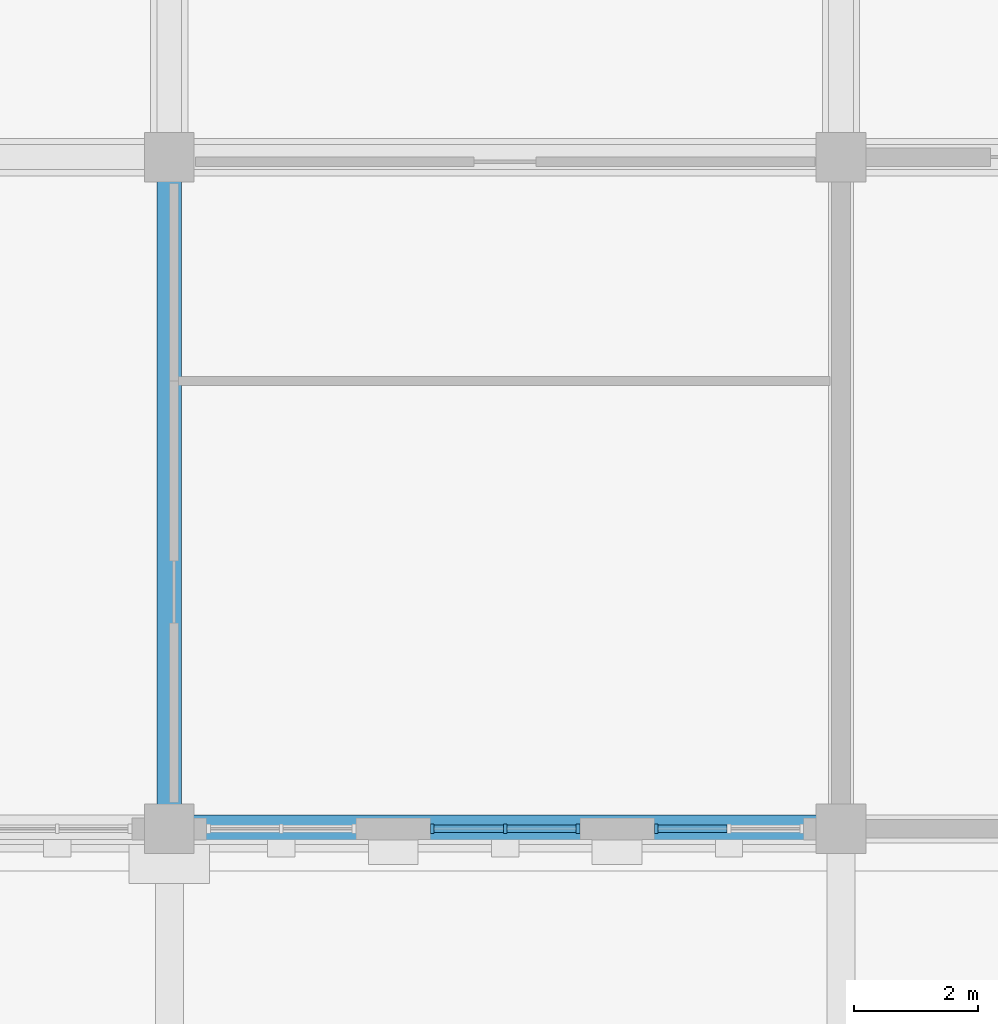
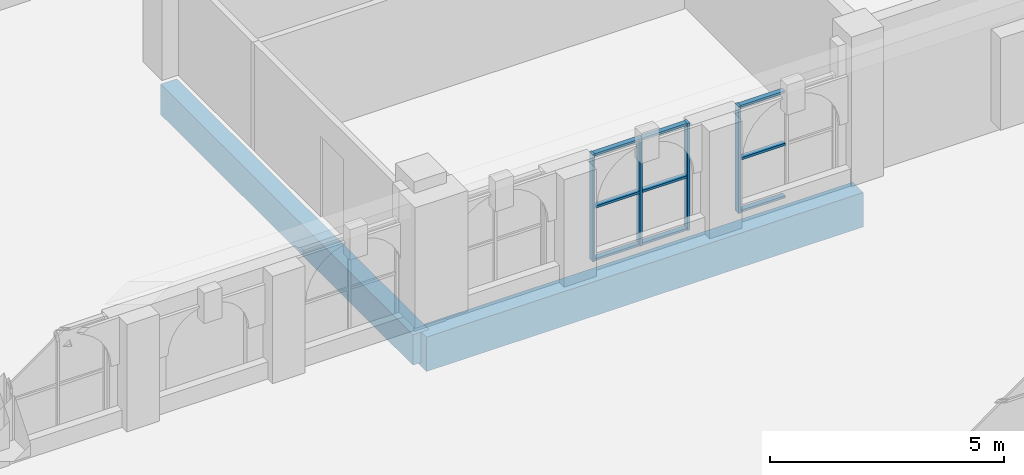
# One storey, part 28 of 95: 13 members, 2 beams, 2 elements without a shape of their own.
"""IFC4 building model written with IfcOpenShell, lengths in metres."""

import ifcopenshell
import ifcopenshell.guid

model = None  # the IFC model being written
_history = None  # IfcOwnerHistory: only IFC2X3 demands one
_inside = {}  # id of a spatial element -> (the spatial element, [elements in it])
_under = {}  # id of a project, library or spatial element -> (it, [spatial elements below it])
_declared = {}  # id of a project -> (the project, [libraries it declares])
_typed = {}  # id of a type object -> (the type object, [elements of that type])
_made_of = {}  # id of a material, layer set ... -> (it, [elements and type objects made of it])


def new_model(schema):
    """Start an empty IFC model of exactly this schema.

    Asked for "IFC4X3", IfcOpenShell would pick the latest addendum, in which some entities
    have other attributes; the version numbers below select the first issue.
    IFC2X3 requires an IfcOwnerHistory on every rooted entity: one is made here for all.
    """
    global model, _history
    if schema == "IFC4X3":
        model = ifcopenshell.file(schema_version=(4, 3, 0, 0))
    else:
        model = ifcopenshell.file(schema=schema)
    _inside.clear()
    _under.clear()
    _declared.clear()
    _typed.clear()
    _made_of.clear()
    _history = None
    if model.schema == "IFC2X3":
        org = make("IfcOrganization", Name="unknown")
        user = make(
            "IfcPersonAndOrganization",
            ThePerson=make("IfcPerson", FamilyName="unknown"),
            TheOrganization=org,
        )
        app = make(
            "IfcApplication",
            ApplicationDeveloper=org,
            Version="unknown",
            ApplicationFullName="unknown",
            ApplicationIdentifier="unknown",
        )
        _history = make(
            "IfcOwnerHistory",
            OwningUser=user,
            OwningApplication=app,
            ChangeAction="ADDED",
            CreationDate=0,
        )
    return model


def make(cls, **values):
    """One entity of the class cls with the attributes given. An attribute that is None is left unset."""
    return model.create_entity(
        cls, **{name: value for name, value in values.items() if value is not None}
    )


def rooted(cls, **values):
    """An entity with a GlobalId (a new one), such as an element, a storey or a relation."""
    return make(cls, GlobalId=ifcopenshell.guid.new(), OwnerHistory=_history, **values)


def si_unit(unit_type, name, prefix=None):
    """IfcSIUnit, for example si_unit("LENGTHUNIT", "METRE", prefix="MILLI")."""
    return make("IfcSIUnit", UnitType=unit_type, Prefix=prefix, Name=name)


def assignment(units):
    """IfcUnitAssignment: the units of a project."""
    return None if units is None else make("IfcUnitAssignment", Units=units)


def point(xyz):
    """IfcCartesianPoint."""
    return None if xyz is None else make("IfcCartesianPoint", Coordinates=xyz)


def direction(xyz):
    """IfcDirection."""
    return None if xyz is None else make("IfcDirection", DirectionRatios=xyz)


def frame(location, z_axis=None, x_axis=None):
    """IfcAxis2Placement3D, a coordinate frame: its origin and axes. An axis left out is left unset."""
    return make(
        "IfcAxis2Placement3D",
        Location=point(location),
        Axis=direction(z_axis),
        RefDirection=direction(x_axis),
    )


def frame_2d(location, x_axis=None):
    """IfcAxis2Placement2D, a coordinate frame in the plane: its origin and x axis."""
    return make(
        "IfcAxis2Placement2D", Location=point(location), RefDirection=direction(x_axis)
    )


def origin():
    """The frame at (0, 0, 0) with its axes left unset."""
    return frame((0.0, 0.0, 0.0))


def origin_2d():
    """The frame at (0, 0) in the plane with its x axis left unset."""
    return frame_2d((0.0, 0.0))


def place(relative_to, where):
    """IfcLocalPlacement: puts the frame where relative to a parent placement (None: the world)."""
    return make(
        "IfcLocalPlacement", PlacementRelTo=relative_to, RelativePlacement=where
    )


def context(
    kind, dimensions, precision=None, world=None, true_north=None, identifier=None
):
    """IfcGeometricRepresentationContext, for example the 3D "Model" context."""
    return make(
        "IfcGeometricRepresentationContext",
        ContextIdentifier=identifier,
        ContextType=kind,
        CoordinateSpaceDimension=dimensions,
        Precision=precision,
        WorldCoordinateSystem=world,
        TrueNorth=true_north,
    )


def subcontext(parent, identifier, kind, view, scale=None):
    """IfcGeometricRepresentationSubContext, for example "Body" below "Model"."""
    return make(
        "IfcGeometricRepresentationSubContext",
        ContextIdentifier=identifier,
        ContextType=kind,
        ParentContext=parent,
        TargetScale=scale,
        TargetView=view,
    )


def project(units=None, contexts=None):
    """IfcProject with its units and contexts."""
    return rooted(
        "IfcProject",
        Name="project",
        RepresentationContexts=contexts,
        UnitsInContext=assignment(units),
    )


def spatial(cls, under=None, at=None, **own):
    """A site, building, storey or space (cls), placed at a placement, below another one or the project."""
    s = rooted(cls, ObjectPlacement=at, **own)
    if under is not None:
        _under.setdefault(under.id(), (under, []))[1].append(s)
    return s


def profile(cls, at=None, kind="AREA", **sizes):
    """A parametric profile (cls). Its sizes go by their IFC names, for example OverallWidth=200.0."""
    return make(cls, ProfileType=kind, Position=at, **sizes)


def rectangle(**sizes):
    """IfcRectangleProfileDef."""
    return profile("IfcRectangleProfileDef", **sizes)


def extrude(swept, where, along, depth):
    """IfcExtrudedAreaSolid: the profile swept, set in the frame where, extruded along a direction by depth."""
    return make(
        "IfcExtrudedAreaSolid",
        SweptArea=swept,
        Position=where,
        ExtrudedDirection=direction(along),
        Depth=depth,
    )


def shape(context_of_items, identifier, shape_type, items):
    """IfcShapeRepresentation: the items that make up one representation, for example the "Body"."""
    return make(
        "IfcShapeRepresentation",
        ContextOfItems=context_of_items,
        RepresentationIdentifier=identifier,
        RepresentationType=shape_type,
        Items=items,
    )


def material(Name=None, Category=None):
    """IfcMaterial."""
    return make("IfcMaterial", Name=Name, Category=Category)


def layer(
    of_material, thickness, ventilated=None, Name=None, Category=None, Priority=None
):
    """IfcMaterialLayer: one layer of a wall or slab, of a material (None: an air gap)."""
    return make(
        "IfcMaterialLayer",
        Material=of_material,
        LayerThickness=thickness,
        IsVentilated=ventilated,
        Name=Name,
        Category=Category,
        Priority=Priority,
    )


def layer_set(layers, Name=None):
    """IfcMaterialLayerSet."""
    return make("IfcMaterialLayerSet", MaterialLayers=layers, LayerSetName=Name)


def material_profile(
    of_material, cross_section, Name=None, Category=None, Priority=None
):
    """IfcMaterialProfile: a cross section and its material."""
    return make(
        "IfcMaterialProfile",
        Name=Name,
        Material=of_material,
        Profile=cross_section,
        Priority=Priority,
        Category=Category,
    )


def profile_set(profiles, Name=None, composite=None):
    """IfcMaterialProfileSet."""
    return make(
        "IfcMaterialProfileSet",
        Name=Name,
        MaterialProfiles=profiles,
        CompositeProfile=composite,
    )


def made_of(thing, what):
    """Note that an element or type object is made of a material, layer set ...; save() writes the relation."""
    if what is not None:
        _made_of.setdefault(what.id(), (what, []))[1].append(thing)
    return thing


def type_object(cls, material=None, **own):
    """A type object (cls), such as IfcWallType, which elements share."""
    return made_of(rooted(cls, **own), material)


def element(
    cls,
    number,
    at=None,
    inside=None,
    cuts=None,
    type_object=None,
    material=None,
    context=None,
    identifier="Body",
    shape_type=None,
    held_by="IfcProductDefinitionShape",
    body=None,
    shapes=None,
    **own,
):
    """One element of the class cls, such as IfcWall. Its Tag is "e" and its number.

    at: its placement. inside: the storey or other place that contains it. cuts: it is an
    opening in that element (IfcRelVoidsElement). A single representation is given by context,
    identifier, shape_type and body (its items); several are given by shapes. held_by: the class
    of the entity that holds the representations. save() writes the other relations.
    """
    e = rooted(cls, Tag="e%d" % number, ObjectPlacement=at, **own)
    if body is not None:
        shapes = [shape(context, identifier, shape_type, body)]
    if shapes is not None:
        e.Representation = make(held_by, Representations=shapes)
    if inside is not None:
        _inside.setdefault(inside.id(), (inside, []))[1].append(e)
    if cuts is not None:
        rooted(
            "IfcRelVoidsElement", RelatingBuildingElement=cuts, RelatedOpeningElement=e
        )
    if type_object is not None:
        _typed.setdefault(type_object.id(), (type_object, []))[1].append(e)
    return made_of(e, material)


def aggregate(whole, parts):
    """IfcRelAggregates: a whole, such as a stair, and the parts it consists of."""
    return rooted("IfcRelAggregates", RelatingObject=whole, RelatedObjects=parts)


def save(model, path):
    """Write the relations noted so far, then the file.

    IfcRelAggregates (storeys below a building ...), IfcRelContainedInSpatialStructure (elements
    in a storey), IfcRelDefinesByType, IfcRelAssociatesMaterial and IfcRelDeclares: one each for
    every whole, place, type object, material and project.
    """
    for whole, parts in _under.values():
        aggregate(whole, parts)
    for where, things in _inside.values():
        rooted(
            "IfcRelContainedInSpatialStructure",
            RelatedElements=things,
            RelatingStructure=where,
        )
    for kind, things in _typed.values():
        rooted("IfcRelDefinesByType", RelatedObjects=things, RelatingType=kind)
    for what, things in _made_of.values():
        rooted("IfcRelAssociatesMaterial", RelatedObjects=things, RelatingMaterial=what)
    for by, libraries in _declared.values():
        rooted("IfcRelDeclares", RelatingContext=by, RelatedDefinitions=libraries)
    model.write(path)


model = new_model("IFC4")

# Units and contexts
model_context = context("Model", 3, precision=1e-05, world=origin(), true_north=direction((0.0, 1.0)))
body_context = subcontext(model_context, "Body", "Model", "MODEL_VIEW")
ifc_project = project(units=[si_unit("LENGTHUNIT", "METRE"), si_unit("AREAUNIT", "SQUARE_METRE"), si_unit("VOLUMEUNIT", "CUBIC_METRE"), si_unit("PLANEANGLEUNIT", "RADIAN"), si_unit("MASSUNIT", "GRAM", prefix="KILO")], contexts=[model_context])

# Site, building, storey
site_placement = place(None, origin())
site = spatial("IfcSite", under=ifc_project, at=site_placement, CompositionType="ELEMENT")
building_placement = place(site_placement, origin())
building = spatial("IfcBuilding", under=site, at=building_placement, Name="Magnolia Steps Interchange", CompositionType="ELEMENT")
storey_placement = place(building_placement, frame((0.0, 0.0, 4.800048828125)))
storey = spatial("IfcBuildingStorey", under=building, at=storey_placement, Name="L01", CompositionType="ELEMENT", Elevation=4.800048828125)

# Curtain wall, members
ifc_material_1 = material(Name="Powder-coated aluminium and glass", Category="aluminium")
ifc_layer = layer(ifc_material_1, 0.179931640625)
ifc_layer_set = layer_set([ifc_layer], Name="Lobby shopfront curtain wall")
curtain_wall_type = type_object("IfcCurtainWallType", Name="Lobby shopfront curtain wall", PredefinedType="NOTDEFINED", material=ifc_layer_set)
curtain_wall_1_placement = place(storey_placement, origin())
curtain_wall_1 = element("IfcCurtainWall", 1, at=curtain_wall_1_placement, inside=storey, type_object=curtain_wall_type, Name="Operations lobby south glazing 14", PredefinedType="NOTDEFINED")
ifc_material_2 = material(Name="White powder-coated aluminium", Category="aluminium")
ifc_material_profile_1 = material_profile(ifc_material_2, rectangle(XDim=0.06005859375, YDim=0.14990234375, at=origin_2d()), Name="Aluminium mullion 60 x 150")
ifc_profile_set_1 = profile_set([ifc_material_profile_1], Name="White powder-coated aluminium")
member_type_1 = type_object("IfcMemberType", Name="Aluminium mullion 60 x 150", PredefinedType="MULLION", material=ifc_profile_set_1)
member_1_placement = place(storey_placement, frame((100.6298828125, 96.39990234375, 0.0), z_axis=(0.0, 0.0, 1.0), x_axis=(1.0, 0.0, 0.0)))
member_1 = element("IfcMember", 2, at=member_1_placement, type_object=member_type_1, Name="CW5 mullion 1", PredefinedType="MULLION", context=body_context, shape_type="SweptSolid", body=[
    extrude(rectangle(XDim=0.06005859375, YDim=0.14990234375, at=origin_2d()), origin(), (0.0, 0.0, 1.0), 2.800048828125),
])
member_2_placement = place(storey_placement, frame((101.800048828125, 96.39990234375, 0.0), z_axis=(0.0, 0.0, 1.0), x_axis=(1.0, 0.0, 0.0)))
member_2 = element("IfcMember", 3, at=member_2_placement, type_object=member_type_1, Name="CW5 mullion 2", PredefinedType="MULLION", context=body_context, shape_type="SweptSolid", body=[
    extrude(rectangle(XDim=0.06005859375, YDim=0.14990234375, at=origin_2d()), origin(), (0.0, 0.0, 1.0), 2.800048828125),
])
member_3_placement = place(storey_placement, frame((102.969970703125, 96.39990234375, 0.0), z_axis=(0.0, 0.0, 1.0), x_axis=(1.0, 0.0, 0.0)))
member_3 = element("IfcMember", 4, at=member_3_placement, type_object=member_type_1, Name="CW5 mullion 3", PredefinedType="MULLION", context=body_context, shape_type="SweptSolid", body=[
    extrude(rectangle(XDim=0.06005859375, YDim=0.14990234375, at=origin_2d()), origin(), (0.0, 0.0, 1.0), 2.800048828125),
])

# Curtain wall, member
curtain_wall_2_placement = place(storey_placement, origin())
curtain_wall_2 = element("IfcCurtainWall", 5, at=curtain_wall_2_placement, inside=storey, type_object=curtain_wall_type, Name="Operations lobby south glazing 16", PredefinedType="NOTDEFINED")
member_4_placement = place(storey_placement, frame((104.22998046875, 96.39990234375, 0.0), z_axis=(0.0, 0.0, 1.0), x_axis=(1.0, 0.0, 0.0)))
member_4 = element("IfcMember", 6, at=member_4_placement, type_object=member_type_1, Name="CW5 mullion 1", PredefinedType="MULLION", context=body_context, shape_type="SweptSolid", body=[
    extrude(rectangle(XDim=0.06005859375, YDim=0.14990234375, at=origin_2d()), origin(), (0.0, 0.0, 1.0), 2.800048828125),
])

# Member
ifc_material_3 = material(Name="White powder-coated aluminium", Category="aluminium")
ifc_material_profile_2 = material_profile(ifc_material_3, rectangle(XDim=0.06005859375, YDim=0.1201171875, at=origin_2d()), Name="Aluminium transom 60 x 120")
ifc_profile_set_2 = profile_set([ifc_material_profile_2], Name="White powder-coated aluminium")
member_type_2 = type_object("IfcMemberType", Name="Aluminium transom 60 x 120", PredefinedType="USERDEFINED", material=ifc_profile_set_2)
member_5_placement = place(storey_placement, frame((100.659912109375, 96.39990234375, 0.030029296875), z_axis=(1.0, 0.0, 0.0), x_axis=(0.0, 0.0, 1.0)))
member_5 = element("IfcMember", 7, at=member_5_placement, type_object=member_type_2, Name="CW5 transom 1.1", ObjectType="TRANSOM", PredefinedType="USERDEFINED", context=body_context, shape_type="SweptSolid", body=[
    extrude(rectangle(XDim=0.06005859375, YDim=0.1201171875, at=origin_2d()), origin(), (0.0, 0.0, 1.0), 1.110107421875),
])

member_6_placement = place(storey_placement, frame((100.659912109375, 96.39990234375, 1.39990234375), z_axis=(1.0, 0.0, 0.0), x_axis=(0.0, 0.0, 1.0)))
member_6 = element("IfcMember", 8, at=member_6_placement, type_object=member_type_2, Name="CW5 transom 1.2", ObjectType="TRANSOM", PredefinedType="USERDEFINED", context=body_context, shape_type="SweptSolid", body=[
    extrude(rectangle(XDim=0.06005859375, YDim=0.1201171875, at=origin_2d()), origin(), (0.0, 0.0, 1.0), 1.110107421875),
])

member_7_placement = place(storey_placement, frame((100.659912109375, 96.39990234375, 2.77001953125), z_axis=(1.0, 0.0, 0.0), x_axis=(0.0, 0.0, 1.0)))
member_7 = element("IfcMember", 9, at=member_7_placement, type_object=member_type_2, Name="CW5 transom 1.3", ObjectType="TRANSOM", PredefinedType="USERDEFINED", context=body_context, shape_type="SweptSolid", body=[
    extrude(rectangle(XDim=0.06005859375, YDim=0.1201171875, at=origin_2d()), origin(), (0.0, 0.0, 1.0), 1.110107421875),
])

member_8_placement = place(storey_placement, frame((101.830078125, 96.39990234375, 0.030029296875), z_axis=(1.0, 0.0, 0.0), x_axis=(0.0, 0.0, 1.0)))
member_8 = element("IfcMember", 10, at=member_8_placement, type_object=member_type_2, Name="CW5 transom 2.1", ObjectType="TRANSOM", PredefinedType="USERDEFINED", context=body_context, shape_type="SweptSolid", body=[
    extrude(rectangle(XDim=0.06005859375, YDim=0.1201171875, at=origin_2d()), origin(), (0.0, 0.0, 1.0), 1.10986328125),
])

member_9_placement = place(storey_placement, frame((101.830078125, 96.39990234375, 1.39990234375), z_axis=(1.0, 0.0, 0.0), x_axis=(0.0, 0.0, 1.0)))
member_9 = element("IfcMember", 11, at=member_9_placement, type_object=member_type_2, Name="CW5 transom 2.2", ObjectType="TRANSOM", PredefinedType="USERDEFINED", context=body_context, shape_type="SweptSolid", body=[
    extrude(rectangle(XDim=0.06005859375, YDim=0.1201171875, at=origin_2d()), origin(), (0.0, 0.0, 1.0), 1.10986328125),
])

member_10_placement = place(storey_placement, frame((101.830078125, 96.39990234375, 2.77001953125), z_axis=(1.0, 0.0, 0.0), x_axis=(0.0, 0.0, 1.0)))
member_10 = element("IfcMember", 12, at=member_10_placement, type_object=member_type_2, Name="CW5 transom 2.3", ObjectType="TRANSOM", PredefinedType="USERDEFINED", context=body_context, shape_type="SweptSolid", body=[
    extrude(rectangle(XDim=0.06005859375, YDim=0.1201171875, at=origin_2d()), origin(), (0.0, 0.0, 1.0), 1.10986328125),
])

aggregate(curtain_wall_1, [member_1, member_2, member_3, member_5, member_6, member_7, member_8, member_9, member_10])

member_11_placement = place(storey_placement, frame((104.260009765625, 96.39990234375, 0.030029296875), z_axis=(1.0, 0.0, 0.0), x_axis=(0.0, 0.0, 1.0)))
member_11 = element("IfcMember", 13, at=member_11_placement, type_object=member_type_2, Name="CW5 transom 1.1", ObjectType="TRANSOM", PredefinedType="USERDEFINED", context=body_context, shape_type="SweptSolid", body=[
    extrude(rectangle(XDim=0.06005859375, YDim=0.1201171875, at=origin_2d()), origin(), (0.0, 0.0, 1.0), 1.110107421875),
])

member_12_placement = place(storey_placement, frame((104.260009765625, 96.39990234375, 1.39990234375), z_axis=(1.0, 0.0, 0.0), x_axis=(0.0, 0.0, 1.0)))
member_12 = element("IfcMember", 14, at=member_12_placement, type_object=member_type_2, Name="CW5 transom 1.2", ObjectType="TRANSOM", PredefinedType="USERDEFINED", context=body_context, shape_type="SweptSolid", body=[
    extrude(rectangle(XDim=0.06005859375, YDim=0.1201171875, at=origin_2d()), origin(), (0.0, 0.0, 1.0), 1.110107421875),
])

member_13_placement = place(storey_placement, frame((104.260009765625, 96.39990234375, 2.77001953125), z_axis=(1.0, 0.0, 0.0), x_axis=(0.0, 0.0, 1.0)))
member_13 = element("IfcMember", 15, at=member_13_placement, type_object=member_type_2, Name="CW5 transom 1.3", ObjectType="TRANSOM", PredefinedType="USERDEFINED", context=body_context, shape_type="SweptSolid", body=[
    extrude(rectangle(XDim=0.06005859375, YDim=0.1201171875, at=origin_2d()), origin(), (0.0, 0.0, 1.0), 1.110107421875),
])

aggregate(curtain_wall_2, [member_4, member_11, member_12, member_13])

# Beams
ifc_material_4 = material(Name="Concrete C40", Category="concrete")
ifc_material_profile_3 = material_profile(ifc_material_4, rectangle(XDim=0.39990234375, YDim=0.800048828125, at=origin_2d()), Name="RC400x800")
ifc_profile_set_3 = profile_set([ifc_material_profile_3], Name="Concrete C40")
beam_type_1 = type_object("IfcBeamType", Name="RC beam 400x800", PredefinedType="BEAM", material=ifc_profile_set_3)
beam_1_placement = place(storey_placement, frame((96.39990234375, 96.39990234375, -0.800048828125), z_axis=(0.0, 1.0, 0.0), x_axis=(-1.0, 0.0, 0.0)))
element("IfcBeam", 16, at=beam_1_placement, inside=storey, type_object=beam_type_1, Name="Beam L01 9 I-J", PredefinedType="BEAM", context=body_context, shape_type="SweptSolid", body=[
    extrude(rectangle(XDim=0.39990234375, YDim=0.800048828125, at=origin_2d()), origin(), (0.0, 0.0, 1.0), 10.800048828125),
])
ifc_material_5 = material(Name="Concrete C40", Category="concrete")
ifc_material_profile_4 = material_profile(ifc_material_5, rectangle(XDim=0.449951171875, YDim=0.89990234375, at=origin_2d()), Name="RC450x900")
ifc_profile_set_4 = profile_set([ifc_material_profile_4], Name="Concrete C40")
beam_type_2 = type_object("IfcBeamType", Name="RC beam 450x900", PredefinedType="BEAM", material=ifc_profile_set_4)
beam_2_placement = place(storey_placement, frame((96.39990234375, 96.39990234375, -0.85009765625), z_axis=(1.0, 0.0, 0.0), x_axis=(0.0, 1.0, 0.0)))
element("IfcBeam", 17, at=beam_2_placement, inside=storey, type_object=beam_type_2, Name="Beam L01 I 9-10", PredefinedType="BEAM", context=body_context, shape_type="SweptSolid", body=[
    extrude(rectangle(XDim=0.449951171875, YDim=0.89990234375, at=origin_2d()), origin(), (0.0, 0.0, 1.0), 10.800048828125),
])

save(model, "model.ifc")
